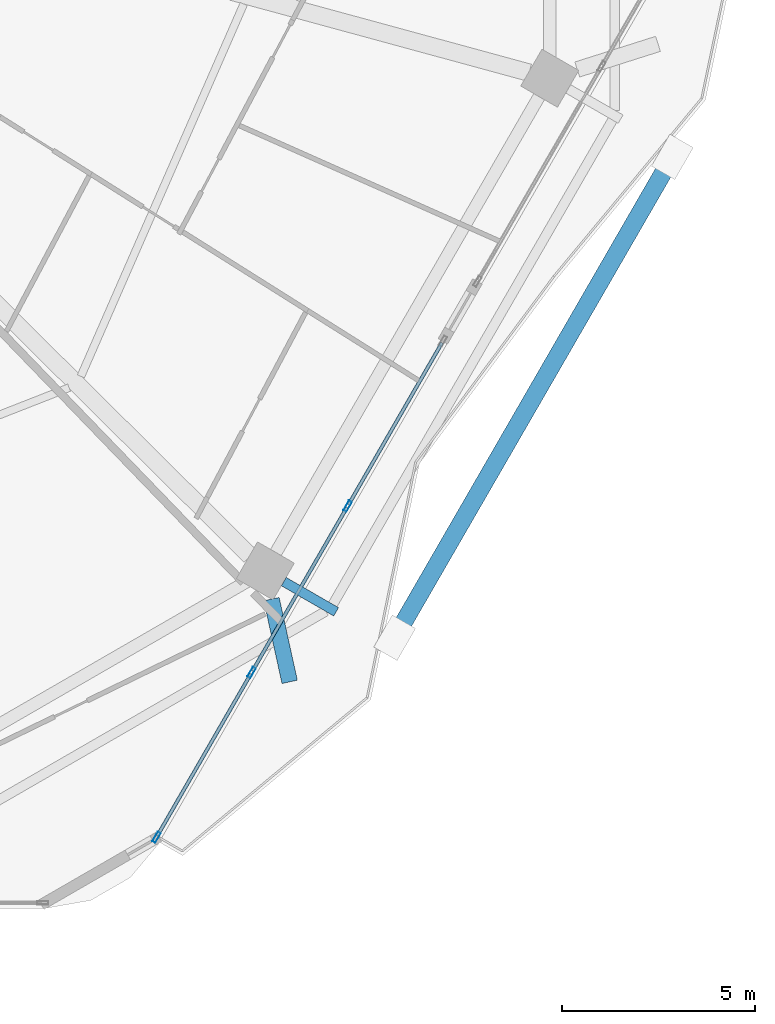
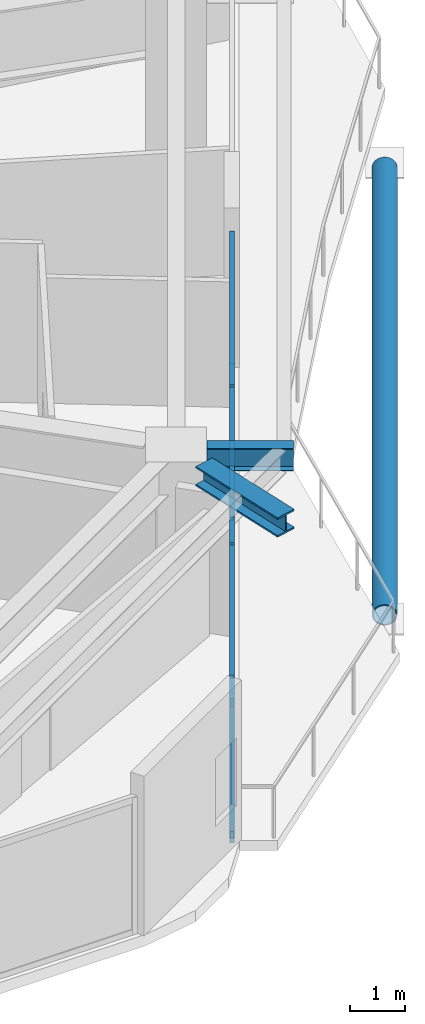
# One storey, part 9 of 33: 10 members, 2 beams, 1 element without a shape of its own.
"""IFC4 building model written with IfcOpenShell, lengths in metres."""

from ifc_helpers import new_model, si_unit, direction, frame, origin, origin_2d, place, context, subcontext, project, spatial, hollow_rectangle, hollow_circle, i_section, extrude, material, material_profile, profile_set, type_object, element, aggregate, save


model = new_model("IFC4")

# Units and contexts
model_context = context("Model", 3, precision=1e-05, world=origin(), true_north=direction((0.0, 1.0)))
body_context = subcontext(model_context, "Body", "Model", "MODEL_VIEW")
ifc_project = project(units=[si_unit("LENGTHUNIT", "METRE"), si_unit("AREAUNIT", "SQUARE_METRE"), si_unit("VOLUMEUNIT", "CUBIC_METRE"), si_unit("PLANEANGLEUNIT", "RADIAN"), si_unit("MASSUNIT", "GRAM", prefix="KILO")], contexts=[model_context])

# Site, building, storey
site_placement = place(None, origin())
site = spatial("IfcSite", under=ifc_project, at=site_placement, CompositionType="ELEMENT")
building_placement = place(site_placement, origin())
building = spatial("IfcBuilding", under=site, at=building_placement, Name="Zuhravey Tower", CompositionType="ELEMENT")
storey_placement = place(building_placement, frame((0.0, 0.0, 141.800048828125)))
storey = spatial("IfcBuildingStorey", under=building, at=storey_placement, Name="L35", CompositionType="ELEMENT", Elevation=141.800048828125)

# Curtain wall, members
ifc_material_1 = material(Name="Thermally broken anodised aluminium", Category="aluminium")
curtain_wall_type = type_object("IfcCurtainWallType", Name="Zone 1-2 Residential Curtain Wall CW3", PredefinedType="NOTDEFINED", material=ifc_material_1)
curtain_wall_placement = place(storey_placement, origin())
curtain_wall = element("IfcCurtainWall", 1, at=curtain_wall_placement, inside=storey, type_object=curtain_wall_type, Name="L35 CW3 CW-L35-F6-2", PredefinedType="NOTDEFINED")
ifc_material_2 = material(Name="Anodised aluminium", Category="aluminium")
ifc_material_profile_1 = material_profile(ifc_material_2, hollow_rectangle(XDim=0.090087890625, YDim=0.284912109375, WallThickness=0.0048828125, at=origin_2d()), Name="ALU-RHS-90x285x5")
ifc_profile_set_1 = profile_set([ifc_material_profile_1], Name="Anodised aluminium")
member_type_1 = type_object("IfcMemberType", Name="Curtain-Wall Mullion 90x180", PredefinedType="MULLION", material=ifc_profile_set_1)
member_1_placement = place(storey_placement, frame((58.654541015625, 13.32177734375, 0.0), z_axis=(0.0, 0.0, 1.0), x_axis=(0.866023481158, -0.500003330071, 0.0)))
member_1 = element("IfcMember", 2, at=member_1_placement, type_object=member_type_1, Name="CW3 mullion 2", PredefinedType="MULLION", context=body_context, shape_type="SweptSolid", body=[
    extrude(hollow_rectangle(XDim=0.090087890625, YDim=0.284912109375, WallThickness=0.0048828125, at=origin_2d()), origin(), (0.0, 0.0, 1.0), 3.02001953125),
])
member_2_placement = place(storey_placement, frame((56.166748046875, 9.012939453125, 0.0), z_axis=(0.0, 0.0, 1.0), x_axis=(0.866023481158, -0.500003330071, 0.0)))
member_2 = element("IfcMember", 3, at=member_2_placement, type_object=member_type_1, Name="CW3 mullion 3", PredefinedType="MULLION", context=body_context, shape_type="SweptSolid", body=[
    extrude(hollow_rectangle(XDim=0.090087890625, YDim=0.284912109375, WallThickness=0.0048828125, at=origin_2d()), origin(), (0.0, 0.0, 1.0), 3.02001953125),
])
member_3_placement = place(storey_placement, frame((53.701416015625, 4.742919921875, 0.0), z_axis=(0.0, 0.0, 1.0), x_axis=(0.866023481158, -0.500003330071, 0.0)))
member_3 = element("IfcMember", 4, at=member_3_placement, type_object=member_type_1, Name="CW3 mullion 4", PredefinedType="MULLION", context=body_context, shape_type="SweptSolid", body=[
    extrude(hollow_rectangle(XDim=0.090087890625, YDim=0.284912109375, WallThickness=0.0048828125, at=origin_2d()), origin(), (0.0, 0.0, 1.0), 3.02001953125),
])
ifc_material_profile_2 = material_profile(ifc_material_2, hollow_rectangle(XDim=0.090087890625, YDim=0.14990234375, WallThickness=0.0048828125, at=origin_2d()), Name="ALU-RHS-90x150x5")
ifc_profile_set_2 = profile_set([ifc_material_profile_2], Name="Anodised aluminium")
member_type_2 = type_object("IfcMemberType", Name="Curtain-Wall Transom 90x150", PredefinedType="USERDEFINED", material=ifc_profile_set_2)
member_4_placement = place(storey_placement, frame((61.097412109375, 17.552734375, 0.044921875), z_axis=(-0.500033888766, -0.866005837212, 0.0), x_axis=(0.866005837212, -0.500033888766, 0.0)))
member_4 = element("IfcMember", 5, at=member_4_placement, type_object=member_type_2, Name="CW3 transom 1.1", ObjectType="TRANSOM", PredefinedType="USERDEFINED", context=body_context, shape_type="SweptSolid", body=[
    extrude(hollow_rectangle(XDim=0.090087890625, YDim=0.14990234375, WallThickness=0.0048828125, at=origin_2d()), origin(), (0.0, 0.0, 1.0), 4.840576171875),
])
member_5_placement = place(storey_placement, frame((61.097412109375, 17.552734375, 2.974853515625), z_axis=(-0.500033888766, -0.866005837212, 0.0), x_axis=(0.866005837212, -0.500033888766, 0.0)))
member_5 = element("IfcMember", 6, at=member_5_placement, type_object=member_type_2, Name="CW3 transom 1.2", ObjectType="TRANSOM", PredefinedType="USERDEFINED", context=body_context, shape_type="SweptSolid", body=[
    extrude(hollow_rectangle(XDim=0.090087890625, YDim=0.14990234375, WallThickness=0.0048828125, at=origin_2d()), origin(), (0.0, 0.0, 1.0), 4.840576171875),
])
member_6_placement = place(storey_placement, frame((58.632080078125, 13.28271484375, 0.044921875), z_axis=(-0.500019482754, -0.866014155119, 0.0), x_axis=(0.866014155119, -0.500019482754, 0.0)))
member_6 = element("IfcMember", 7, at=member_6_placement, type_object=member_type_2, Name="CW3 transom 2.1", ObjectType="TRANSOM", PredefinedType="USERDEFINED", context=body_context, shape_type="SweptSolid", body=[
    extrude(hollow_rectangle(XDim=0.090087890625, YDim=0.14990234375, WallThickness=0.0048828125, at=origin_2d()), origin(), (0.0, 0.0, 1.0), 4.885498046875),
])
member_7_placement = place(storey_placement, frame((58.632080078125, 13.28271484375, 2.974853515625), z_axis=(-0.500019482754, -0.866014155119, 0.0), x_axis=(0.866014155119, -0.500019482754, 0.0)))
member_7 = element("IfcMember", 8, at=member_7_placement, type_object=member_type_2, Name="CW3 transom 2.2", ObjectType="TRANSOM", PredefinedType="USERDEFINED", context=body_context, shape_type="SweptSolid", body=[
    extrude(hollow_rectangle(XDim=0.090087890625, YDim=0.14990234375, WallThickness=0.0048828125, at=origin_2d()), origin(), (0.0, 0.0, 1.0), 4.885498046875),
])
member_8_placement = place(storey_placement, frame((56.144287109375, 8.973876953125, 0.044921875), z_axis=(-0.499996061183, -0.866027677849, 0.0), x_axis=(0.866027677849, -0.499996061183, 0.0)))
member_8 = element("IfcMember", 9, at=member_8_placement, type_object=member_type_2, Name="CW3 transom 3.1", ObjectType="TRANSOM", PredefinedType="USERDEFINED", context=body_context, shape_type="SweptSolid", body=[
    extrude(hollow_rectangle(XDim=0.090087890625, YDim=0.14990234375, WallThickness=0.0048828125, at=origin_2d()), origin(), (0.0, 0.0, 1.0), 4.84033203125),
])
member_9_placement = place(storey_placement, frame((56.144287109375, 8.973876953125, 2.974853515625), z_axis=(-0.499996061183, -0.866027677849, 0.0), x_axis=(0.866027677849, -0.499996061183, 0.0)))
member_9 = element("IfcMember", 10, at=member_9_placement, type_object=member_type_2, Name="CW3 transom 3.2", ObjectType="TRANSOM", PredefinedType="USERDEFINED", context=body_context, shape_type="SweptSolid", body=[
    extrude(hollow_rectangle(XDim=0.090087890625, YDim=0.14990234375, WallThickness=0.0048828125, at=origin_2d()), origin(), (0.0, 0.0, 1.0), 4.84033203125),
])
aggregate(curtain_wall, [member_1, member_2, member_3, member_4, member_5, member_6, member_7, member_8, member_9])

# Beam
ifc_material_3 = material(Name="Steel SM460", Category="steel")
ifc_material_profile_3 = material_profile(ifc_material_3, i_section(OverallWidth=0.406982421875, OverallDepth=0.427978515625, WebThickness=0.02001953125, FlangeThickness=0.034912109375, at=origin_2d()), Name="H-428x407x20x35")
ifc_profile_set_3 = profile_set([ifc_material_profile_3], Name="Steel SM460")
beam_type_1 = type_object("IfcBeamType", Name="Exoskeleton Node Tie Beam H428x407", PredefinedType="BEAM", material=ifc_profile_set_3)
beam_1_placement = place(storey_placement, frame((56.6796875, 10.911865234375, 3.305908203125), z_axis=(0.214692013103, -0.976681800542, 0.0), x_axis=(0.976681800542, 0.214692013103, 0.0)))
element("IfcBeam", 11, at=beam_1_placement, inside=storey, type_object=beam_type_1, Name="L35 Exoskeleton Node Tie NT1-11", PredefinedType="BEAM", context=body_context, shape_type="SweptSolid", body=[
    extrude(i_section(OverallWidth=0.406982421875, OverallDepth=0.427978515625, WebThickness=0.02001953125, FlangeThickness=0.034912109375, at=origin_2d()), origin(), (0.0, 0.0, 1.0), 2.19482421875),
])

# Member
ifc_material_4 = material(Name="Steel SM355", Category="steel")
ifc_material_profile_4 = material_profile(ifc_material_4, hollow_circle(Radius=0.228515625, WallThickness=0.02197265625, at=origin_2d()), Name="CHS-457.2x22")
ifc_profile_set_4 = profile_set([ifc_material_profile_4], Name="Steel SM355")
member_type_3 = type_object("IfcMemberType", Name="Exoskeleton Ring Tie CHS457x22", PredefinedType="CHORD", material=ifc_profile_set_4)
member_10_placement = place(storey_placement, frame((59.942138671875, 10.031982421875, -0.464111328125), z_axis=(0.499995593262, 0.866027948001, 0.0), x_axis=(-0.866027948001, 0.499995593262, 0.0)))
element("IfcMember", 12, at=member_10_placement, inside=storey, type_object=member_type_3, Name="L35 Exoskeleton Face 6 Tie EXR1", PredefinedType="CHORD", context=body_context, shape_type="SweptSolid", body=[
    extrude(hollow_circle(Radius=0.228515625, WallThickness=0.02197265625, at=origin_2d()), origin(), (0.0, 0.0, 1.0), 14.107666015625),
])

# Beam
ifc_material_profile_5 = material_profile(ifc_material_4, i_section(OverallWidth=0.25, OverallDepth=0.5, WebThickness=0.010009765625, FlangeThickness=0.01611328125, at=origin_2d()), Name="H-500x250x10x16")
ifc_profile_set_5 = profile_set([ifc_material_profile_5], Name="Steel SM355")
beam_type_2 = type_object("IfcBeamType", Name="Tray Cantilever Spandrel H500x250", PredefinedType="SPANDREL", material=ifc_profile_set_5)
beam_2_placement = place(storey_placement, frame((56.998779296875, 11.3662109375, 3.27001953125), z_axis=(0.8659700968, -0.500095782274, 0.0), x_axis=(0.500095782274, 0.8659700968, 0.0)))
element("IfcBeam", 13, at=beam_2_placement, inside=storey, type_object=beam_type_2, Name="L35 Sky-Tray Cantilever Arm TSB1-R11", PredefinedType="SPANDREL", context=body_context, shape_type="SweptSolid", body=[
    extrude(i_section(OverallWidth=0.25, OverallDepth=0.5, WebThickness=0.010009765625, FlangeThickness=0.01611328125, at=origin_2d()), origin(), (0.0, 0.0, 1.0), 1.566162109375),
])

save(model, "model.ifc")
